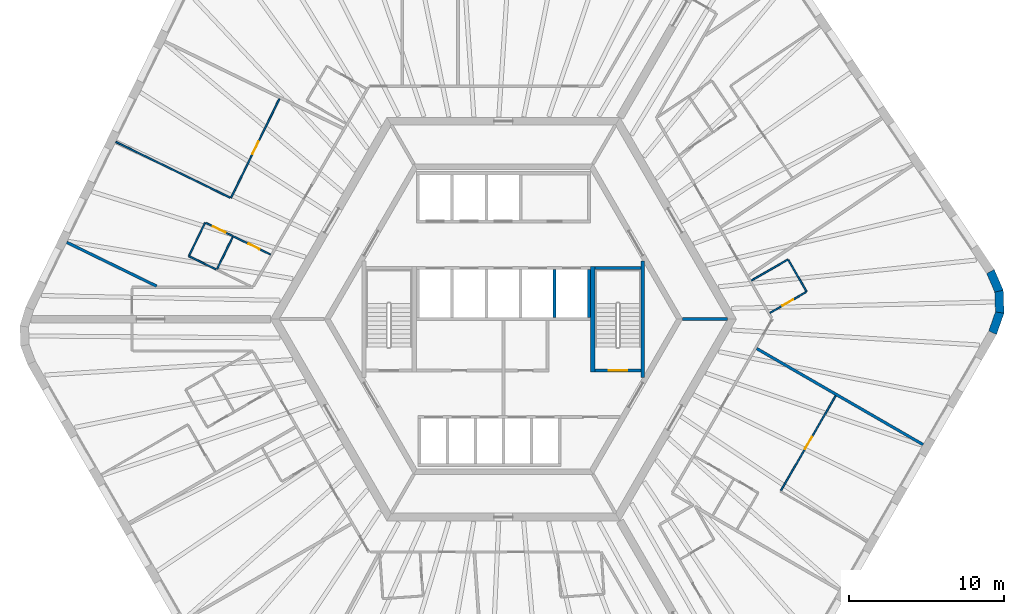
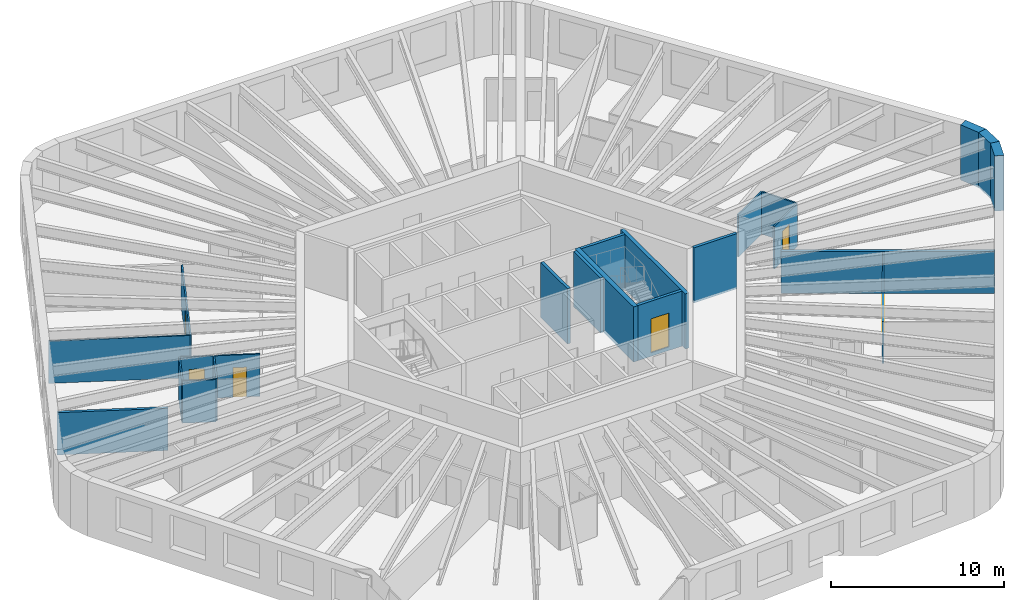
# One storey, part 6 of 10: 23 walls, 6 doors, 6 openings.
"""IFC4 building model written with IfcOpenShell, lengths in metres."""

from ifc_helpers import new_model, si_unit, direction, frame, frame_2d, origin, place, context, subcontext, project, spatial, polyline, rectangle, outline, extrude, material, layer, layer_set, type_object, element, fill, save


model = new_model("IFC4")

# Units and contexts
model_context = context("Model", 3, precision=1e-05, world=origin(), true_north=direction((0.0, 1.0)))
body_context = subcontext(model_context, "Body", "Model", "MODEL_VIEW")
ifc_project = project(units=[si_unit("LENGTHUNIT", "METRE"), si_unit("AREAUNIT", "SQUARE_METRE"), si_unit("VOLUMEUNIT", "CUBIC_METRE"), si_unit("PLANEANGLEUNIT", "RADIAN"), si_unit("MASSUNIT", "GRAM", prefix="KILO")], contexts=[model_context])

# Site, building, storey
site_placement = place(None, origin())
site = spatial("IfcSite", under=ifc_project, at=site_placement, CompositionType="ELEMENT")
building_placement = place(site_placement, origin())
building = spatial("IfcBuilding", under=site, at=building_placement, Name="Tarnside Tower", CompositionType="ELEMENT")
storey_placement = place(building_placement, frame((0.0, 0.0, 172.199951171875)))
storey = spatial("IfcBuildingStorey", under=building, at=storey_placement, Name="L40", CompositionType="ELEMENT", Elevation=172.199951171875)

# Wall, opening, door
ifc_material_1 = material(Name="Gypsum board partition on steel studs", Category="steel")
ifc_layer_1 = layer(ifc_material_1, 0.10009765625)
ifc_layer_set_1 = layer_set([ifc_layer_1], Name="Bathroom wall 100")
wall_type_1 = type_object("IfcWallType", Name="Bathroom wall 100", PredefinedType="PARTITIONING", material=ifc_layer_set_1)
wall_1_placement = place(storey_placement, frame((-17.412109375, 5.342041015625, 0.0), z_axis=(0.0, 0.0, 1.0), x_axis=(0.898825304183, -0.43830705283, 0.0)))
wall_1 = element("IfcWall", 1, at=wall_1_placement, inside=storey, type_object=wall_type_1, Name="Bathroom wall 12053", PredefinedType="PARTITIONING", context=body_context, shape_type="SweptSolid", body=[
    extrude(rectangle(XDim=2.681884765625, YDim=0.10009765625, at=frame_2d((1.3408203125, 0.0))), origin(), (0.0, 0.0, 1.0), 2.98779296875),
])
opening_1_placement = place(wall_1_placement, frame((1.10009765625, 0.0, 0.0)))
opening_1 = element("IfcOpeningElement", 2, at=opening_1_placement, cuts=wall_1, Name="Opening D-B1", PredefinedType="OPENING", context=body_context, shape_type="SweptSolid", body=[
    extrude(rectangle(XDim=0.800048828125, YDim=2.10009765625, at=frame_2d((0.39990234375, 1.050048828125))), frame((0.0, 0.06005859375, 0.0), z_axis=(0.0, -1.0, 0.0), x_axis=(1.0, 0.0, 0.0)), (0.0, 0.0, 1.0), 0.1201171875),
])
ifc_material_2 = material(Name="Timber door leaf", Category="wood")
door_type_1 = type_object("IfcDoorType", Name="Bathroom door 800", OperationType="NOTDEFINED", PredefinedType="DOOR", material=ifc_material_2)
door_1_placement = place(opening_1_placement, origin())
door_1 = element("IfcDoor", 3, at=door_1_placement, inside=storey, type_object=door_type_1, Name="Bathroom door 12006", OperationType="SINGLE_SWING_LEFT", OverallHeight=2.10009765625, OverallWidth=0.800048828125, PredefinedType="DOOR", context=body_context, shape_type="SweptSolid", body=[
    extrude(rectangle(XDim=0.800048828125, YDim=2.10009765625, at=frame_2d((0.39990234375, 1.050048828125))), frame((0.0, 0.02490234375, 0.0), z_axis=(0.0, -1.0, 0.0), x_axis=(1.0, 0.0, 0.0)), (0.0, 0.0, 1.0), 0.050048828125),
])
fill(opening_1, door_1)

# Walls
wall_2_placement = place(storey_placement, frame((-17.433837890625, 5.297119140625, 0.0), z_axis=(0.0, 0.0, 1.0), x_axis=(-0.438402718006, -0.898778647302, 0.0)))
element("IfcWall", 4, at=wall_2_placement, inside=storey, type_object=wall_type_1, Name="Bathroom wall 12060", PredefinedType="PARTITIONING", context=body_context, shape_type="SweptSolid", body=[
    extrude(rectangle(XDim=2.300048828125, YDim=0.10009765625, at=frame_2d((1.14990234375, 0.0))), origin(), (0.0, 0.0, 1.0), 2.98779296875),
])
wall_3_placement = place(storey_placement, frame((15.972900390625, 2.484375, 0.0), z_axis=(0.0, 0.0, 1.0), x_axis=(0.866051307416, 0.49995513091, 0.0)))
element("IfcWall", 5, at=wall_3_placement, inside=storey, type_object=wall_type_1, Name="Bathroom wall 12099", PredefinedType="PARTITIONING", context=body_context, shape_type="SweptSolid", body=[
    extrude(rectangle(XDim=2.724853515625, YDim=0.10009765625, at=frame_2d((1.3623046875, 0.0))), origin(), (0.0, 0.0, 1.0), 2.98779296875),
])
wall_4_placement = place(storey_placement, frame((18.357666015625, 3.803466796875, 0.0), z_axis=(0.0, 0.0, 1.0), x_axis=(0.500016218704, -0.866016039709, 0.0)))
element("IfcWall", 6, at=wall_4_placement, inside=storey, type_object=wall_type_1, Name="Bathroom wall 12100", PredefinedType="PARTITIONING", context=body_context, shape_type="SweptSolid", body=[
    extrude(rectangle(XDim=2.35009765625, YDim=0.10009765625, at=frame_2d((1.175048828125, 0.0))), origin(), (0.0, 0.0, 1.0), 2.98779296875),
])

# Wall, opening, door
wall_5_placement = place(storey_placement, frame((19.489501953125, 1.743408203125, 0.0), z_axis=(0.0, 0.0, 1.0), x_axis=(-0.866004723184, -0.50003581814, 0.0)))
wall_5 = element("IfcWall", 7, at=wall_5_placement, inside=storey, type_object=wall_type_1, Name="Bathroom wall 12101", PredefinedType="PARTITIONING", context=body_context, shape_type="SweptSolid", body=[
    extrude(rectangle(XDim=2.675048828125, YDim=0.10009765625, at=frame_2d((1.33740234375, 0.0))), origin(), (0.0, 0.0, 1.0), 2.98779296875),
])
opening_2_placement = place(wall_5_placement, frame((0.949951171875, 0.0, 0.0)))
opening_2 = element("IfcOpeningElement", 8, at=opening_2_placement, cuts=wall_5, Name="Opening D-B1", PredefinedType="OPENING", context=body_context, shape_type="SweptSolid", body=[
    extrude(rectangle(XDim=0.800048828125, YDim=2.10009765625, at=frame_2d((0.39990234375, 1.050048828125))), frame((0.0, 0.06005859375, 0.0), z_axis=(0.0, -1.0, 0.0), x_axis=(1.0, 0.0, 0.0)), (0.0, 0.0, 1.0), 0.1201171875),
])
door_2_placement = place(opening_2_placement, origin())
door_2 = element("IfcDoor", 9, at=door_2_placement, inside=storey, type_object=door_type_1, Name="Bathroom door 12029", OperationType="SINGLE_SWING_RIGHT", OverallHeight=2.10009765625, OverallWidth=0.800048828125, PredefinedType="DOOR", context=body_context, shape_type="SweptSolid", body=[
    extrude(rectangle(XDim=0.800048828125, YDim=2.10009765625, at=frame_2d((0.39990234375, 1.050048828125))), frame((0.0, 0.02490234375, 0.0), z_axis=(0.0, -1.0, 0.0), x_axis=(1.0, 0.0, 0.0)), (0.0, 0.0, 1.0), 0.050048828125),
])
fill(opening_2, door_2)

# Walls
ifc_layer_2 = layer(ifc_material_1, 0.179931640625)
ifc_layer_set_2 = layer_set([ifc_layer_2], Name="Demising wall 180 EI 60")
wall_type_2 = type_object("IfcWallType", Name="Demising wall 180 EI 60", PredefinedType="PARTITIONING", material=ifc_layer_set_2)
wall_6_placement = place(storey_placement, frame((-28.127197265625, 4.948974609375, 0.0), z_axis=(0.0, 0.0, 1.0), x_axis=(0.898795032868, -0.438369124017, 0.0)))
element("IfcWall", 10, at=wall_6_placement, inside=storey, type_object=wall_type_2, Name="Demising wall 12059", PredefinedType="PARTITIONING", context=body_context, shape_type="SweptSolid", body=[
    extrude(rectangle(XDim=6.44189453125, YDim=0.179931640625, at=frame_2d((3.220947265625, 0.0))), origin(), (0.0, 0.0, 1.0), 2.98779296875),
])
wall_7_placement = place(storey_placement, frame((27.03125, -8.080322265625, 0.0), z_axis=(0.0, 0.0, 1.0), x_axis=(-0.866024931941, 0.500000817256, 0.0)))
element("IfcWall", 11, at=wall_7_placement, inside=storey, type_object=wall_type_2, Name="Demising wall 12096", PredefinedType="PARTITIONING", context=body_context, shape_type="SweptSolid", body=[
    extrude(rectangle(XDim=12.375, YDim=0.179931640625, at=frame_2d((6.1875, 0.0))), origin(), (0.0, 0.0, 1.0), 2.98779296875),
])
ifc_material_3 = material(Name="Concrete C40/50", Category="concrete")
ifc_layer_3 = layer(ifc_material_3, 0.199951171875)
ifc_layer_set_3 = layer_set([ifc_layer_3], Name="Lift shaft wall 200 C40/50")
wall_type_3 = type_object("IfcWallType", Name="Lift shaft wall 200 C40/50", PredefinedType="SHEAR", material=ifc_layer_set_3)
for number, where, z_axis, x_axis, name in (
    (12, (3.300048828125, 0.10009765625, -0.25), (0.0, 0.0, 1.0), (0.0, 1.0, 0.0), "L40 lift shaft partition R25"),
    (13, (5.5, 0.10009765625, -0.25), (0.0, 0.0, 1.0), (0.0, 1.0, 0.0), "L40 lift shaft partition R26"),
):
    element("IfcWall", number, at=place(storey_placement, frame(where, z_axis=z_axis, x_axis=x_axis)), inside=storey, type_object=wall_type_3, Name=name, PredefinedType="SHEAR", context=body_context, shape_type="SweptSolid", body=[
        extrude(rectangle(XDim=3.099853515625, YDim=0.199951171875, at=frame_2d((1.5498046875, 0.0))), origin(), (0.0, 0.0, 1.0), 3.900146484375),
    ])
wall_8_placement = place(storey_placement, frame((11.547119140625, 0.0, -0.14990234375), z_axis=(0.0, 0.0, 1.0), x_axis=(1.0, 0.0, 0.0)))
element("IfcWall", 14, at=wall_8_placement, inside=storey, type_object=wall_type_3, Name="L40 core partition AR0", PredefinedType="SHEAR", context=body_context, shape_type="SweptSolid", body=[
    extrude(rectangle(XDim=2.88671875, YDim=0.199951171875, at=frame_2d((1.443359375, 0.0))), origin(), (0.0, 0.0, 1.0), 3.89990234375),
])
wall_9_placement = place(storey_placement, frame((5.89990234375, 3.300048828125, -0.25), z_axis=(0.0, 0.0, 1.0), x_axis=(1.0, 0.0, 0.0)))
element("IfcWall", 15, at=wall_9_placement, inside=storey, type_object=wall_type_3, Name="L40 stair 1 enclosure cap wall n", PredefinedType="SHEAR", context=body_context, shape_type="SweptSolid", body=[
    extrude(rectangle(XDim=2.9501953125, YDim=0.199951171875, at=frame_2d((1.47509765625, 0.0))), origin(), (0.0, 0.0, 1.0), 3.900146484375),
])

# Wall, opening, door
wall_10_placement = place(storey_placement, frame((5.89990234375, -3.300048828125, -0.25), z_axis=(0.0, 0.0, 1.0), x_axis=(1.0, 0.0, 0.0)))
wall_10 = element("IfcWall", 16, at=wall_10_placement, inside=storey, type_object=wall_type_3, Name="L40 stair 1 enclosure cap wall s", PredefinedType="SHEAR", context=body_context, shape_type="SweptSolid", body=[
    extrude(rectangle(XDim=2.9501953125, YDim=0.199951171875, at=frame_2d((1.47509765625, 0.0))), origin(), (0.0, 0.0, 1.0), 3.900146484375),
])
opening_3_placement = place(wall_10_placement, frame((0.875, 0.0, 0.25)))
opening_3 = element("IfcOpeningElement", 17, at=opening_3_placement, cuts=wall_10, Name="Opening CD-STR", PredefinedType="OPENING", context=body_context, shape_type="SweptSolid", body=[
    extrude(rectangle(XDim=1.199951171875, YDim=2.39990234375, at=frame_2d((0.60009765625, 1.199951171875))), frame((0.0, 0.10986328125, 0.0), z_axis=(0.0, -1.0, 0.0), x_axis=(1.0, 0.0, 0.0)), (0.0, 0.0, 1.0), 0.219970703125),
])
ifc_material_4 = material(Name="Steel fire door", Category="steel")
door_type_2 = type_object("IfcDoorType", Name="Stair door FD60S 1200x2400", OperationType="NOTDEFINED", PredefinedType="DOOR", material=ifc_material_4)
door_3_placement = place(opening_3_placement, origin())
door_3 = element("IfcDoor", 18, at=door_3_placement, inside=storey, type_object=door_type_2, Name="L40 stair 1 door", OperationType="SINGLE_SWING_LEFT", OverallHeight=2.39990234375, OverallWidth=1.199951171875, PredefinedType="DOOR", context=body_context, shape_type="SweptSolid", body=[
    extrude(rectangle(XDim=1.199951171875, YDim=2.39990234375, at=frame_2d((0.60009765625, 1.199951171875))), frame((0.0, 0.02490234375, 0.0), z_axis=(0.0, -1.0, 0.0), x_axis=(1.0, 0.0, 0.0)), (0.0, 0.0, 1.0), 0.050048828125),
])
fill(opening_3, door_3)

# Walls
ifc_layer_4 = layer(ifc_material_1, 0.10009765625)
ifc_layer_set_4 = layer_set([ifc_layer_4], Name="Partition 100")
wall_type_4 = type_object("IfcWallType", Name="Partition 100", PredefinedType="PARTITIONING", material=ifc_layer_set_4)
wall_11_placement = place(storey_placement, frame((-18.509033203125, 3.20703125, 0.0), z_axis=(0.0, 0.0, 1.0), x_axis=(-0.898815368173, 0.438327427772, 0.0)))
element("IfcWall", 19, at=wall_11_placement, inside=storey, type_object=wall_type_4, Name="Partition wall 12054", PredefinedType="PARTITIONING", context=body_context, shape_type="SweptSolid", body=[
    extrude(rectangle(XDim=1.949951171875, YDim=0.10009765625, at=frame_2d((0.97509765625, 0.0))), origin(), (0.0, 0.0, 1.0), 2.98779296875),
])
wall_12_placement = place(storey_placement, frame((-20.23974609375, 4.106689453125, 0.0), z_axis=(0.0, 0.0, 1.0), x_axis=(0.438382697704, 0.89878841245, 0.0)))
element("IfcWall", 20, at=wall_12_placement, inside=storey, type_object=wall_type_4, Name="Partition wall 12055", PredefinedType="PARTITIONING", context=body_context, shape_type="SweptSolid", body=[
    extrude(rectangle(XDim=2.35009765625, YDim=0.10009765625, at=frame_2d((1.175048828125, 0.0))), origin(), (0.0, 0.0, 1.0), 2.98779296875),
])

# Wall, opening, door
wall_13_placement = place(storey_placement, frame((-19.16455078125, 6.197021484375, 0.0), z_axis=(0.0, 0.0, 1.0), x_axis=(0.898753624926, -0.43845401319, 0.0)))
wall_13 = element("IfcWall", 21, at=wall_13_placement, inside=storey, type_object=wall_type_4, Name="Partition wall 12056", PredefinedType="PARTITIONING", context=body_context, shape_type="SweptSolid", body=[
    extrude(rectangle(XDim=1.89990234375, YDim=0.10009765625, at=frame_2d((0.949951171875, 0.0))), origin(), (0.0, 0.0, 1.0), 2.98779296875),
])
opening_4_placement = place(wall_13_placement, frame((0.5, 0.0, 0.0)))
opening_4 = element("IfcOpeningElement", 22, at=opening_4_placement, cuts=wall_13, Name="Opening D-I1", PredefinedType="OPENING", context=body_context, shape_type="SweptSolid", body=[
    extrude(rectangle(XDim=0.89990234375, YDim=2.10009765625, at=frame_2d((0.449951171875, 1.050048828125))), frame((0.0, 0.06005859375, 0.0), z_axis=(0.0, -1.0, 0.0), x_axis=(1.0, 0.0, 0.0)), (0.0, 0.0, 1.0), 0.1201171875),
])
door_type_3 = type_object("IfcDoorType", Name="Internal door 900", OperationType="NOTDEFINED", PredefinedType="DOOR", material=ifc_material_2)
door_4_placement = place(opening_4_placement, origin())
door_4 = element("IfcDoor", 23, at=door_4_placement, inside=storey, type_object=door_type_3, Name="Internal door 12007", OperationType="SINGLE_SWING_RIGHT", OverallHeight=2.10009765625, OverallWidth=0.89990234375, PredefinedType="DOOR", context=body_context, shape_type="SweptSolid", body=[
    extrude(rectangle(XDim=0.89990234375, YDim=2.10009765625, at=frame_2d((0.449951171875, 1.050048828125))), frame((0.0, 0.02490234375, 0.0), z_axis=(0.0, -1.0, 0.0), x_axis=(1.0, 0.0, 0.0)), (0.0, 0.0, 1.0), 0.050048828125),
])
fill(opening_4, door_4)

wall_14_placement = place(storey_placement, frame((-14.431396484375, 14.1904296875, 0.0), z_axis=(0.0, 0.0, 1.0), x_axis=(-0.438387776054, -0.898785935475, 0.0)))
wall_14 = element("IfcWall", 24, at=wall_14_placement, inside=storey, type_object=wall_type_4, Name="Partition wall 12057", PredefinedType="PARTITIONING", context=body_context, shape_type="SweptSolid", body=[
    extrude(rectangle(XDim=7.110107421875, YDim=0.10009765625, at=frame_2d((3.55517578125, 0.0))), origin(), (0.0, 0.0, 1.0), 2.98779296875),
])
opening_5_placement = place(wall_14_placement, frame((3.06005859375, 0.0, 0.0)))
opening_5 = element("IfcOpeningElement", 25, at=opening_5_placement, cuts=wall_14, Name="Opening D-I1", PredefinedType="OPENING", context=body_context, shape_type="SweptSolid", body=[
    extrude(rectangle(XDim=0.89990234375, YDim=2.10009765625, at=frame_2d((0.449951171875, 1.050048828125))), frame((0.0, 0.06005859375, 0.0), z_axis=(0.0, -1.0, 0.0), x_axis=(1.0, 0.0, 0.0)), (0.0, 0.0, 1.0), 0.1201171875),
])
door_5_placement = place(opening_5_placement, origin())
door_5 = element("IfcDoor", 26, at=door_5_placement, inside=storey, type_object=door_type_3, Name="Internal door 12008", OperationType="SINGLE_SWING_RIGHT", OverallHeight=2.10009765625, OverallWidth=0.89990234375, PredefinedType="DOOR", context=body_context, shape_type="SweptSolid", body=[
    extrude(rectangle(XDim=0.89990234375, YDim=2.10009765625, at=frame_2d((0.449951171875, 1.050048828125))), frame((0.0, 0.02490234375, 0.0), z_axis=(0.0, -1.0, 0.0), x_axis=(1.0, 0.0, 0.0)), (0.0, 0.0, 1.0), 0.050048828125),
])
fill(opening_5, door_5)

# Wall
wall_15_placement = place(storey_placement, frame((-17.59326171875, 7.822021484375, 0.0), z_axis=(0.0, 0.0, 1.0), x_axis=(-0.898803316846, 0.438352138842, 0.0)))
element("IfcWall", 27, at=wall_15_placement, inside=storey, type_object=wall_type_4, Name="Partition wall 12058", PredefinedType="PARTITIONING", context=body_context, shape_type="SweptSolid", body=[
    extrude(rectangle(XDim=8.208251953125, YDim=0.10009765625, at=frame_2d((4.10400390625, 0.0))), origin(), (0.0, 0.0, 1.0), 2.98779296875),
])

# Wall, opening, door
wall_16_placement = place(storey_placement, frame((17.870361328125, -11.04736328125, 0.0), z_axis=(0.0, 0.0, 1.0), x_axis=(0.500010820671, 0.866019156377, 0.0)))
wall_16 = element("IfcWall", 28, at=wall_16_placement, inside=storey, type_object=wall_type_4, Name="Partition wall 12095", PredefinedType="PARTITIONING", context=body_context, shape_type="SweptSolid", body=[
    extrude(rectangle(XDim=7.059814453125, YDim=0.10009765625, at=frame_2d((3.52978515625, 0.0))), origin(), (0.0, 0.0, 1.0), 2.98779296875),
])
opening_6_placement = place(wall_16_placement, frame((3.10009765625, 0.0, 0.0)))
opening_6 = element("IfcOpeningElement", 29, at=opening_6_placement, cuts=wall_16, Name="Opening D-I1", PredefinedType="OPENING", context=body_context, shape_type="SweptSolid", body=[
    extrude(rectangle(XDim=0.89990234375, YDim=2.10009765625, at=frame_2d((0.449951171875, 1.050048828125))), frame((0.0, 0.06005859375, 0.0), z_axis=(0.0, -1.0, 0.0), x_axis=(1.0, 0.0, 0.0)), (0.0, 0.0, 1.0), 0.1201171875),
])
door_6_placement = place(opening_6_placement, origin())
door_6 = element("IfcDoor", 30, at=door_6_placement, inside=storey, type_object=door_type_3, Name="Internal door 12027", OperationType="SINGLE_SWING_LEFT", OverallHeight=2.10009765625, OverallWidth=0.89990234375, PredefinedType="DOOR", context=body_context, shape_type="SweptSolid", body=[
    extrude(rectangle(XDim=0.89990234375, YDim=2.10009765625, at=frame_2d((0.449951171875, 1.050048828125))), frame((0.0, 0.02490234375, 0.0), z_axis=(0.0, -1.0, 0.0), x_axis=(1.0, 0.0, 0.0)), (0.0, 0.0, 1.0), 0.050048828125),
])
fill(opening_6, door_6)

# Walls
ifc_layer_5 = layer(ifc_material_3, 0.25)
ifc_layer_set_5 = layer_set([ifc_layer_5], Name="Stair enclosure wall 250 C40/50")
wall_type_5 = type_object("IfcWallType", Name="Stair enclosure wall 250 C40/50", PredefinedType="SHEAR", material=ifc_layer_set_5)
wall_17_placement = place(storey_placement, frame((8.97509765625, -3.7548828125, -0.25), z_axis=(0.0, 0.0, 1.0), x_axis=(0.0, 1.0, 0.0)))
element("IfcWall", 31, at=wall_17_placement, inside=storey, type_object=wall_type_5, Name="L40 stair 1 enclosure wall outer", PredefinedType="SHEAR", context=body_context, shape_type="SweptSolid", body=[
    extrude(rectangle(XDim=7.509765625, YDim=0.25, at=frame_2d((3.7548828125, 0.0))), origin(), (0.0, 0.0, 1.0), 3.900146484375),
])
ifc_layer_6 = layer(ifc_material_3, 0.300048828125)
ifc_layer_set_6 = layer_set([ifc_layer_6], Name="Stair enclosure wall 300 C40/50")
wall_type_6 = type_object("IfcWallType", Name="Stair enclosure wall 300 C40/50", PredefinedType="SHEAR", material=ifc_layer_set_6)
wall_18_placement = place(storey_placement, frame((5.75, -3.39990234375, -0.25), z_axis=(0.0, 0.0, 1.0), x_axis=(0.0, 1.0, 0.0)))
element("IfcWall", 32, at=wall_18_placement, inside=storey, type_object=wall_type_6, Name="L40 stair 1 enclosure wall inner", PredefinedType="SHEAR", context=body_context, shape_type="SweptSolid", body=[
    extrude(rectangle(XDim=6.7998046875, YDim=0.300048828125, at=frame_2d((3.39990234375, 0.0))), origin(), (0.0, 0.0, 1.0), 3.900146484375),
])
ifc_material_5 = material(Name="Facing brick", Category="masonry")
ifc_layer_7 = layer(ifc_material_5, 0.10205078125)
ifc_material_6 = material(Name="Concrete C60/75 precast", Category="concrete")
ifc_layer_8 = layer(ifc_material_6, 0.347900390625)
ifc_material_7 = material(Name="Mineral wool insulation")
ifc_layer_9 = layer(ifc_material_7, 0.10009765625)
ifc_layer_set_7 = layer_set([ifc_layer_7, ifc_layer_8, ifc_layer_9], Name="Tube wall 550 brick faced")
wall_type_7 = type_object("IfcWallType", Name="Tube wall 550 brick faced", PredefinedType="SOLIDWALL", material=ifc_layer_set_7)
wall_19_placement = place(storey_placement, frame((31.509033203125, -0.874755859375, -0.14990234375), z_axis=(0.0, 0.0, 1.0), x_axis=(0.33111537203, 0.943590276765, 0.0)))
element("IfcWall", 33, at=wall_19_placement, inside=storey, type_object=wall_type_7, Name="Tube wall L40 F5 chord 17", PredefinedType="SOLIDWALL", context=body_context, shape_type="SweptSolid", body=[
    extrude(outline(polyline([(-0.025634765625, -0.27490234375), (1.4306640625, -0.27490234375), (1.3271484375, 0.27490234375), (0.025634765625, 0.27490234375), (-0.025634765625, -0.27490234375)])), origin(), (0.0, 0.0, 1.0), 3.89990234375),
])
wall_20_placement = place(storey_placement, frame((31.965576171875, 0.42626953125, -0.14990234375), z_axis=(0.0, 0.0, 1.0), x_axis=(-0.034876908462, 0.999391615562, 0.0)))
element("IfcWall", 34, at=wall_20_placement, inside=storey, type_object=wall_type_7, Name="Tube wall L40 F5 chord 18", PredefinedType="SOLIDWALL", context=body_context, shape_type="SweptSolid", body=[
    extrude(outline(polyline([(-0.0517578125, -0.27490234375), (1.4306640625, -0.27490234375), (1.3271484375, 0.27490234375), (0.0517578125, 0.27490234375), (-0.0517578125, -0.27490234375)])), origin(), (0.0, 0.0, 1.0), 3.89990234375),
])
wall_21_placement = place(storey_placement, frame((31.91748046875, 1.804443359375, -0.14990234375), z_axis=(0.0, 0.0, 1.0), x_axis=(-0.396225741392, 0.918153125496, 0.0)))
element("IfcWall", 35, at=wall_21_placement, inside=storey, type_object=wall_type_7, Name="Tube wall L40 F5 chord 19", PredefinedType="SOLIDWALL", context=body_context, shape_type="SweptSolid", body=[
    extrude(outline(polyline([(-0.0517578125, -0.27490234375), (1.404541015625, -0.27490234375), (1.353271484375, 0.27490234375), (0.0517578125, 0.27490234375), (-0.0517578125, -0.27490234375)])), origin(), (0.0, 0.0, 1.0), 3.89990234375),
])

save(model, "model.ifc")
